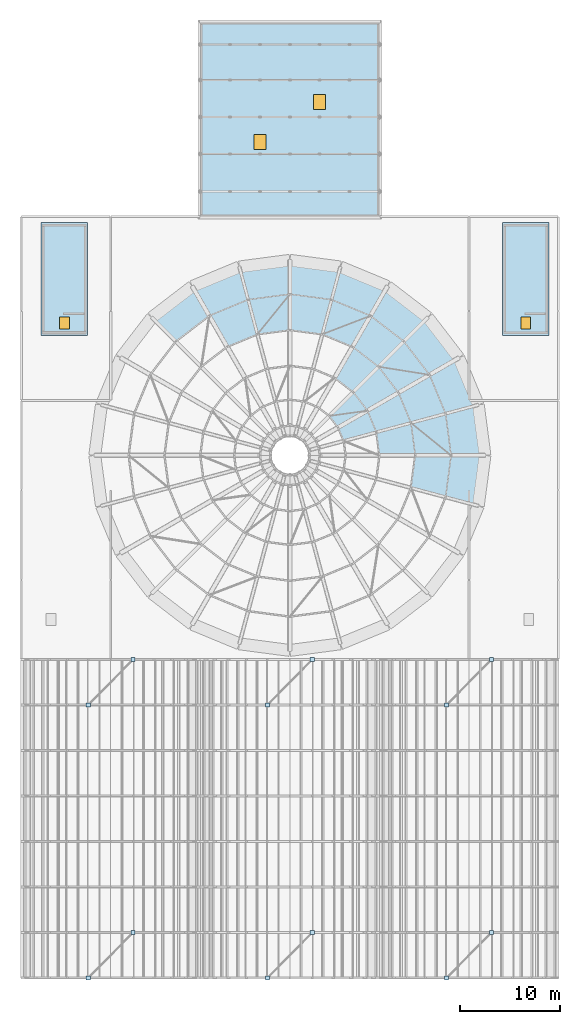
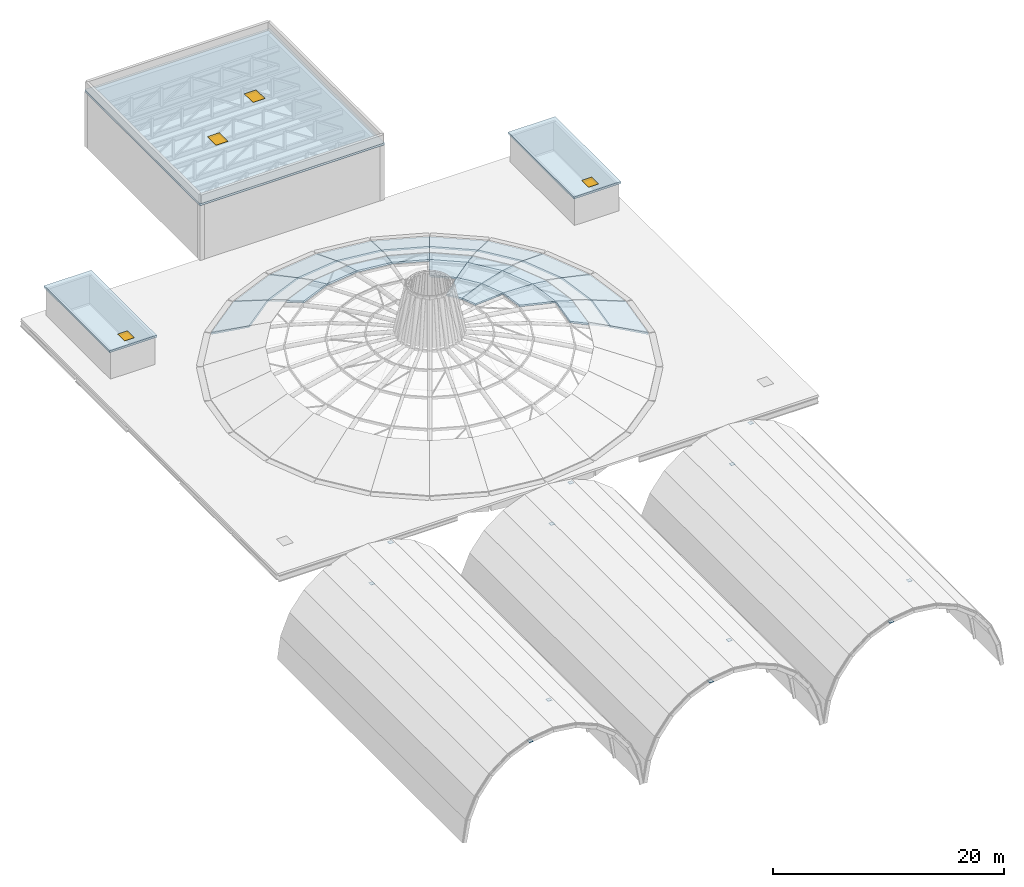
# One storey, part 20 of 25: 28 slabs, 12 plates, 4 doors, 4 openings.
"""IFC4 building model written with IfcOpenShell, lengths in metres."""

from ifc_helpers import new_model, si_unit, direction, frame, origin, origin_2d, place, context, subcontext, project, spatial, polyline, rectangle, outline, extrude, material, layer, layer_set, type_object, element, fill, save


model = new_model("IFC4")

# Units and contexts
model_context = context("Model", 3, precision=1e-05, world=origin(), true_north=direction((0.0, 1.0)))
body_context = subcontext(model_context, "Body", "Model", "MODEL_VIEW")
ifc_project = project(units=[si_unit("LENGTHUNIT", "METRE"), si_unit("AREAUNIT", "SQUARE_METRE"), si_unit("VOLUMEUNIT", "CUBIC_METRE"), si_unit("PLANEANGLEUNIT", "RADIAN"), si_unit("MASSUNIT", "GRAM", prefix="KILO")], contexts=[model_context])

# Site, building, storey
site_placement = place(None, origin())
site = spatial("IfcSite", under=ifc_project, at=site_placement, CompositionType="ELEMENT")
building_placement = place(site_placement, origin())
building = spatial("IfcBuilding", under=site, at=building_placement, Name="Marnock Terrace Opera House", CompositionType="ELEMENT")
storey_placement = place(building_placement, frame((0.0, 0.0, 28.199951171875)))
storey = spatial("IfcBuildingStorey", under=building, at=storey_placement, Name="RF", CompositionType="ELEMENT", Elevation=28.199951171875)

# Plates
ifc_material_1 = material(Name="Steel Grade 350 (AS/NZS 3679.1)", Category="steel")
ifc_layer_1 = layer(ifc_material_1, 0.02490234375)
ifc_layer_set_1 = layer_set([ifc_layer_1], Name="Steel Grade 350 (AS/NZS 3679.1)")
plate_type = type_object("IfcPlateType", Name="PLT-GUSSET-420x25", PredefinedType="SHEET", material=ifc_layer_set_1)
for number, where, z_axis, x_axis, name in (
    (1, (61.748291015625, 8.0, -0.60888671875), (0.0, 0.0, 1.0), (1.0, 0.0, 0.0), "Barrel vault 1 wind brace 1 south node & gable embed plate"),
    (2, (66.251708984375, 12.571533203125, -0.60888671875), (0.0, 0.0, 1.0), (1.0, 0.0, 0.0), "Barrel vault 1 wind brace 1 north node & gable embed plate"),
    (3, (61.748291015625, 35.428466796875, -0.60888671875), (0.0, 0.0, 1.0), (1.0, 0.0, 0.0), "Barrel vault 1 wind brace 7 south node & gable embed plate"),
    (4, (66.251708984375, 40.0, -0.60888671875), (0.0, 0.0, 1.0), (1.0, 0.0, 0.0), "Barrel vault 1 wind brace 7 north node & gable embed plate"),
    (5, (79.748291015625, 8.0, -0.60888671875), (0.0, 0.0, 1.0), (1.0, 0.0, 0.0), "Barrel vault 2 wind brace 1 south node & gable embed plate"),
    (6, (84.251708984375, 12.571533203125, -0.60888671875), (0.0, 0.0, 1.0), (1.0, 0.0, 0.0), "Barrel vault 2 wind brace 1 north node & gable embed plate"),
    (7, (79.748291015625, 35.428466796875, -0.60888671875), (0.0, 0.0, 1.0), (1.0, 0.0, 0.0), "Barrel vault 2 wind brace 7 south node & gable embed plate"),
    (8, (84.251708984375, 40.0, -0.60888671875), (0.0, 0.0, 1.0), (1.0, 0.0, 0.0), "Barrel vault 2 wind brace 7 north node & gable embed plate"),
    (9, (97.748291015625, 8.0, -0.60888671875), (0.0, 0.0, 1.0), (1.0, 0.0, 0.0), "Barrel vault 3 wind brace 1 south node & gable embed plate"),
    (10, (102.251708984375, 12.571533203125, -0.60888671875), (0.0, 0.0, 1.0), (1.0, 0.0, 0.0), "Barrel vault 3 wind brace 1 north node & gable embed plate"),
    (11, (97.748291015625, 35.428466796875, -0.60888671875), (0.0, 0.0, 1.0), (1.0, 0.0, 0.0), "Barrel vault 3 wind brace 7 south node & gable embed plate"),
    (12, (102.251708984375, 40.0, -0.60888671875), (0.0, 0.0, 1.0), (1.0, 0.0, 0.0), "Barrel vault 3 wind brace 7 north node & gable embed plate"),
):
    element("IfcPlate", number, at=place(storey_placement, frame(where, z_axis=z_axis, x_axis=x_axis)), inside=storey, type_object=plate_type, Name=name, PredefinedType="SHEET", context=body_context, shape_type="SweptSolid", body=[
        extrude(rectangle(XDim=0.419921875, YDim=0.419921875, at=origin_2d()), origin(), (0.0, 0.0, 1.0), 0.02490234375),
    ])

# Slabs
ifc_layer_2 = layer(ifc_material_1, 0.159912109375)
ifc_layer_set_2 = layer_set([ifc_layer_2], Name="Steel Grade 350 (AS/NZS 3679.1)")
slab_type_1 = type_object("IfcSlabType", Name="SL-CANOPY-160", PredefinedType="ROOF", material=ifc_layer_set_2)
slab_1_placement = place(storey_placement, frame((101.60009765625, 60.5, 0.0), z_axis=(0.372737502488, 0.049076973544, 0.926638119714), x_axis=(-0.130549215212, 0.99144183006, 3.910875e-06)))
element("IfcSlab", 13, at=slab_1_placement, inside=storey, type_object=slab_type_1, Name="Auditorium dome structural composite shell facet 1.1", PredefinedType="ROOF", context=body_context, shape_type="SweptSolid", body=[
    extrude(outline(polyline([(0.0, 0.0), (5.1165432123539105, -1.1102230246251565e-16), (4.6729430161178405, 3.6378270837920965), (0.4438918039497345, 3.637924301541389), (0.0, 0.0)])), origin(), (0.0, 0.0, -1.0), 0.159912109375),
])
slab_2_placement = place(storey_placement, frame((98.199951171875, 60.5, 1.36767578125), z_axis=(0.299991977865, 0.039498485229, 0.953123645117), x_axis=(-0.130527320416, 0.991444712837, -3.583301e-06)))
element("IfcSlab", 14, at=slab_2_placement, inside=storey, type_object=slab_type_1, Name="Auditorium dome structural composite shell facet 1.2", PredefinedType="ROOF", context=body_context, shape_type="SweptSolid", body=[
    extrude(outline(polyline([(0.0, 0.0), (4.229051213310776, 0.0), (3.7592589697567247, 3.7446824733688877), (0.46987517320237404, 3.744593436700083), (0.0, 0.0)])), origin(), (0.0, 0.0, -1.0), 0.159912109375),
])
slab_3_placement = place(storey_placement, frame((94.60009765625, 60.5, 2.500732421875), z_axis=(0.225082224299, 0.029635482172, 0.973888972368), x_axis=(-0.130553532437, 0.991441261576, 3.531859e-06)))
element("IfcSlab", 15, at=slab_3_placement, inside=storey, type_object=slab_type_1, Name="Auditorium dome structural composite shell facet 1.3", PredefinedType="ROOF", context=body_context, shape_type="SweptSolid", body=[
    extrude(outline(polyline([(0.0, 0.0), (3.289383797776162, 5.551115123125783e-17), (2.8194508640955966, 3.664891298357737), (0.4700084047598771, 3.6649790224264693), (0.0, 0.0)])), origin(), (0.0, 0.0, -1.0), 0.159912109375),
])
slab_4_placement = place(storey_placement, frame((100.93212890625, 65.57275390625, 0.0), z_axis=(0.347343037606, 0.143869374216, 0.926636076024), x_axis=(-0.382667294921, 0.923886216691, -2.278383e-06)))
element("IfcSlab", 16, at=slab_4_placement, inside=storey, type_object=slab_type_1, Name="Auditorium dome structural composite shell facet 2.1", PredefinedType="ROOF", context=body_context, shape_type="SweptSolid", body=[
    extrude(outline(polyline([(0.0, 0.0), (5.116748173599901, 0.0), (4.672978093943289, 3.63785527228763), (0.44383343819057464, 3.6377986344936635), (0.0, 0.0)])), origin(), (0.0, 0.0, -1.0), 0.159912109375),
])
slab_5_placement = place(storey_placement, frame((97.64794921875, 64.69287109375, 1.36767578125), z_axis=(0.279543308706, 0.115792692457, 0.953125170652), x_axis=(-0.382680659252, 0.923880681163, -2.952305e-06)))
element("IfcSlab", 17, at=slab_5_placement, inside=storey, type_object=slab_type_1, Name="Auditorium dome structural composite shell facet 2.2", PredefinedType="ROOF", context=body_context, shape_type="SweptSolid", body=[
    extrude(outline(polyline([(0.0, 0.0), (4.2291446561303925, 2.220446049250313e-16), (3.7591851968493732, 3.7447341051070744), (0.4699653927634346, 3.7446607467360202), (0.0, 0.0)])), origin(), (0.0, 0.0, -1.0), 0.159912109375),
])
slab_6_placement = place(storey_placement, frame((94.170654296875, 63.76123046875, 2.500732421875), z_axis=(0.209743362037, 0.086883568143, 0.973888580726), x_axis=(-0.382701458301, 0.923872065718, -2.16716e-07)))
element("IfcSlab", 18, at=slab_6_placement, inside=storey, type_object=slab_type_1, Name="Auditorium dome structural composite shell facet 2.3", PredefinedType="ROOF", context=body_context, shape_type="SweptSolid", body=[
    extrude(outline(polyline([(0.0, 0.0), (3.289219804929987, 2.220446049250313e-16), (2.8193438633762957, 3.6649107303114556), (0.46982335380054696, 3.6649053476592353), (0.0, 0.0)])), origin(), (0.0, 0.0, -1.0), 0.159912109375),
])
slab_7_placement = place(storey_placement, frame((90.693359375, 62.829345703125, 3.332763671875), z_axis=(0.141765848874, 0.058719349731, 0.988157114056), x_axis=(-0.382702850106, 0.923871489167, 5.121992e-06)))
element("IfcSlab", 19, at=slab_7_placement, inside=storey, type_object=slab_type_1, Name="Auditorium dome structural composite shell facet 2.4", PredefinedType="ROOF", context=body_context, shape_type="SweptSolid", body=[
    extrude(outline(polyline([(0.0, 0.0), (2.3495205095504654, 2.220446049250313e-16), (1.9057925248717162, 3.411164081583303), (0.443968963430975, 3.411291303786364), (0.0, 0.0)])), origin(), (0.0, 0.0, -1.0), 0.159912109375),
])
slab_8_placement = place(storey_placement, frame((98.97412109375, 70.300048828125, 0.0), z_axis=(0.29826193601, 0.228864891661, 0.926639454638), x_axis=(-0.608752619373, 0.79336010007, -4.897854e-06)))
element("IfcSlab", 20, at=slab_8_placement, inside=storey, type_object=slab_type_1, Name="Auditorium dome structural composite shell facet 3.1", PredefinedType="ROOF", context=body_context, shape_type="SweptSolid", body=[
    extrude(outline(polyline([(0.0, 0.0), (5.116617261186224, -4.440892098500626e-16), (4.6727593735698125, 3.6379684088453295), (0.4438407050040428, 3.6378466561576954), (0.0, 0.0)])), origin(), (0.0, 0.0, -1.0), 0.159912109375),
])
slab_9_placement = place(storey_placement, frame((96.029541015625, 68.60009765625, 1.36767578125), z_axis=(0.240038476037, 0.184199808034, 0.953127463009), x_axis=(-0.608776634926, 0.79334167214, -3.743486e-06)))
element("IfcSlab", 21, at=slab_9_placement, inside=storey, type_object=slab_type_1, Name="Auditorium dome structural composite shell facet 3.2", PredefinedType="ROOF", context=body_context, shape_type="SweptSolid", body=[
    extrude(outline(polyline([(0.0, 0.0), (4.228918670372289, 4.440892098500626e-16), (3.7590756487542865, 3.744833305238259), (0.4699101820801662, 3.7447402889910673), (0.0, 0.0)])), origin(), (0.0, 0.0, -1.0), 0.159912109375),
])
slab_10_placement = place(storey_placement, frame((92.911865234375, 66.800048828125, 2.500732421875), z_axis=(0.180116902874, 0.138211191094, 0.973886835292), x_axis=(-0.608797658031, 0.793325539424, 8.502952e-06)))
element("IfcSlab", 22, at=slab_10_placement, inside=storey, type_object=slab_type_1, Name="Auditorium dome structural composite shell facet 3.3", PredefinedType="ROOF", context=body_context, shape_type="SweptSolid", body=[
    extrude(outline(polyline([(0.0, 0.0), (3.2891654679059217, 0.0), (2.81947339921853, 3.664681580689559), (0.4700160812854151, 3.664892760247147), (0.0, 0.0)])), origin(), (0.0, 0.0, -1.0), 0.159912109375),
])
slab_11_placement = place(storey_placement, frame((89.794189453125, 65.0, 3.332763671875), z_axis=(0.121729752011, 0.093412964321, 0.988157824222), x_axis=(-0.608727464462, 0.793379400962, -1.1818339e-05)))
element("IfcSlab", 23, at=slab_11_placement, inside=storey, type_object=slab_type_1, Name="Auditorium dome structural composite shell facet 3.4", PredefinedType="ROOF", context=body_context, shape_type="SweptSolid", body=[
    extrude(outline(polyline([(0.0, 0.0), (2.349457327431462, 0.0), (1.9054930673795294, 3.4114761435019214), (0.44358572118923034, 3.4111825842641275), (0.0, 0.0)])), origin(), (0.0, 0.0, -1.0), 0.159912109375),
])
slab_12_placement = place(storey_placement, frame((95.859375, 74.359375, 0.0), z_axis=(0.228864891661, 0.29826193601, 0.926639454638), x_axis=(-0.79336010007, 0.608752619373, 4.897854e-06)))
element("IfcSlab", 24, at=slab_12_placement, inside=storey, type_object=slab_type_1, Name="Auditorium dome structural composite shell facet 4.1", PredefinedType="ROOF", context=body_context, shape_type="SweptSolid", body=[
    extrude(outline(polyline([(0.0, 0.0), (5.116617261186224, 4.440892098500626e-16), (4.672776556182183, 3.637846656157696), (0.4438578876164122, 3.6379684088453303), (0.0, 0.0)])), origin(), (0.0, 0.0, -1.0), 0.159912109375),
])
slab_13_placement = place(storey_placement, frame((93.455078125, 71.955078125, 1.36767578125), z_axis=(0.184199808034, 0.240038476037, 0.953127463009), x_axis=(-0.79334167214, 0.608776634926, 3.743486e-06)))
element("IfcSlab", 25, at=slab_13_placement, inside=storey, type_object=slab_type_1, Name="Auditorium dome structural composite shell facet 4.2", PredefinedType="ROOF", context=body_context, shape_type="SweptSolid", body=[
    extrude(outline(polyline([(0.0, 0.0), (4.228918670372289, -4.440892098500626e-16), (3.7590084882921224, 3.744740288991067), (0.4698430216180026, 3.7448333052382585), (0.0, 0.0)])), origin(), (0.0, 0.0, -1.0), 0.159912109375),
])
slab_14_placement = place(storey_placement, frame((90.909423828125, 69.409423828125, 2.500732421875), z_axis=(0.138211191094, 0.180116902874, 0.973886835292), x_axis=(-0.793325539424, 0.608797658031, -8.502952e-06)))
element("IfcSlab", 26, at=slab_14_placement, inside=storey, type_object=slab_type_1, Name="Auditorium dome structural composite shell facet 4.3", PredefinedType="ROOF", context=body_context, shape_type="SweptSolid", body=[
    extrude(outline(polyline([(0.0, 0.0), (3.2891654679059217, 0.0), (2.8191493866205066, 3.664892760247147), (0.4696920686873917, 3.6646815806895594), (0.0, 0.0)])), origin(), (0.0, 0.0, -1.0), 0.159912109375),
])
slab_15_placement = place(storey_placement, frame((91.800048828125, 77.47412109375, 0.0), z_axis=(0.143869374216, 0.347343037606, 0.926636076024), x_axis=(-0.923886216691, 0.382667294921, 2.278383e-06)))
element("IfcSlab", 27, at=slab_15_placement, inside=storey, type_object=slab_type_1, Name="Auditorium dome structural composite shell facet 5.1", PredefinedType="ROOF", context=body_context, shape_type="SweptSolid", body=[
    extrude(outline(polyline([(0.0, 0.0), (5.116748173599901, 0.0), (4.672914735409326, 3.6377986344936635), (0.4437700796566124, 3.6378552722876294), (0.0, 0.0)])), origin(), (0.0, 0.0, -1.0), 0.159912109375),
])
slab_16_placement = place(storey_placement, frame((90.10009765625, 74.529541015625, 1.36767578125), z_axis=(0.115792692457, 0.279543308706, 0.953125170652), x_axis=(-0.923880681163, 0.382680659252, 2.952305e-06)))
element("IfcSlab", 28, at=slab_16_placement, inside=storey, type_object=slab_type_1, Name="Auditorium dome structural composite shell facet 5.2", PredefinedType="ROOF", context=body_context, shape_type="SweptSolid", body=[
    extrude(outline(polyline([(0.0, 0.0), (4.2291446561303925, -2.220446049250313e-16), (3.7591792633669576, 3.74466074673602), (0.46995945928101884, 3.7447341051070744), (0.0, 0.0)])), origin(), (0.0, 0.0, -1.0), 0.159912109375),
])
slab_17_placement = place(storey_placement, frame((87.07275390625, 79.43212890625, 0.0), z_axis=(0.049076973544, 0.372737502488, 0.926638119714), x_axis=(-0.99144183006, 0.130549215212, -3.910875e-06)))
element("IfcSlab", 29, at=slab_17_placement, inside=storey, type_object=slab_type_1, Name="Auditorium dome structural composite shell facet 6.1", PredefinedType="ROOF", context=body_context, shape_type="SweptSolid", body=[
    extrude(outline(polyline([(0.0, 0.0), (5.1165432123539105, 1.1102230246251565e-16), (4.672651408404176, 3.63792430154139), (0.44360019623607033, 3.6378270837920965), (0.0, 0.0)])), origin(), (0.0, 0.0, -1.0), 0.159912109375),
])
slab_18_placement = place(storey_placement, frame((86.19287109375, 76.14794921875, 1.36767578125), z_axis=(0.039498485229, 0.299991977865, 0.953123645117), x_axis=(-0.991444712837, 0.130527320416, 3.583301e-06)))
element("IfcSlab", 30, at=slab_18_placement, inside=storey, type_object=slab_type_1, Name="Auditorium dome structural composite shell facet 6.2", PredefinedType="ROOF", context=body_context, shape_type="SweptSolid", body=[
    extrude(outline(polyline([(0.0, 0.0), (4.229051213310776, 0.0), (3.7591760401084025, 3.744593436700083), (0.46979224355405136, 3.7446824733688873), (0.0, 0.0)])), origin(), (0.0, 0.0, -1.0), 0.159912109375),
])
slab_19_placement = place(storey_placement, frame((82.0, 80.10009765625, 0.0), z_axis=(-0.049076973544, 0.372737502488, 0.926638119714), x_axis=(-0.99144183006, -0.130549215212, 3.910875e-06)))
element("IfcSlab", 31, at=slab_19_placement, inside=storey, type_object=slab_type_1, Name="Auditorium dome structural composite shell facet 7.1", PredefinedType="ROOF", context=body_context, shape_type="SweptSolid", body=[
    extrude(outline(polyline([(0.0, 0.0), (5.1165432123539105, -1.1102230246251565e-16), (4.6729430161178405, 3.6378270837920965), (0.4438918039497345, 3.637924301541389), (0.0, 0.0)])), origin(), (0.0, 0.0, -1.0), 0.159912109375),
])
slab_20_placement = place(storey_placement, frame((82.0, 76.699951171875, 1.36767578125), z_axis=(-0.039498485229, 0.299991977865, 0.953123645117), x_axis=(-0.991444712837, -0.130527320416, -3.583301e-06)))
element("IfcSlab", 32, at=slab_20_placement, inside=storey, type_object=slab_type_1, Name="Auditorium dome structural composite shell facet 7.2", PredefinedType="ROOF", context=body_context, shape_type="SweptSolid", body=[
    extrude(outline(polyline([(0.0, 0.0), (4.229051213310776, 0.0), (3.7592589697567247, 3.7446824733688877), (0.46987517320237404, 3.744593436700083), (0.0, 0.0)])), origin(), (0.0, 0.0, -1.0), 0.159912109375),
])
slab_21_placement = place(storey_placement, frame((76.92724609375, 79.43212890625, 0.0), z_axis=(-0.143869374216, 0.347343037606, 0.926636076024), x_axis=(-0.923886216691, -0.382667294921, -2.278383e-06)))
element("IfcSlab", 33, at=slab_21_placement, inside=storey, type_object=slab_type_1, Name="Auditorium dome structural composite shell facet 8.1", PredefinedType="ROOF", context=body_context, shape_type="SweptSolid", body=[
    extrude(outline(polyline([(0.0, 0.0), (5.116748173599901, 0.0), (4.672978093943289, 3.63785527228763), (0.44383343819057464, 3.6377986344936635), (0.0, 0.0)])), origin(), (0.0, 0.0, -1.0), 0.159912109375),
])
slab_22_placement = place(storey_placement, frame((77.80712890625, 76.14794921875, 1.36767578125), z_axis=(-0.115792692457, 0.279543308706, 0.953125170652), x_axis=(-0.923880681163, -0.382680659252, -2.952305e-06)))
element("IfcSlab", 34, at=slab_22_placement, inside=storey, type_object=slab_type_1, Name="Auditorium dome structural composite shell facet 8.2", PredefinedType="ROOF", context=body_context, shape_type="SweptSolid", body=[
    extrude(outline(polyline([(0.0, 0.0), (4.2291446561303925, 2.220446049250313e-16), (3.7591851968493732, 3.7447341051070744), (0.4699653927634346, 3.7446607467360202), (0.0, 0.0)])), origin(), (0.0, 0.0, -1.0), 0.159912109375),
])
slab_23_placement = place(storey_placement, frame((72.199951171875, 77.47412109375, 0.0), z_axis=(-0.228864891661, 0.29826193601, 0.926639454638), x_axis=(-0.79336010007, -0.608752619373, -4.897854e-06)))
element("IfcSlab", 35, at=slab_23_placement, inside=storey, type_object=slab_type_1, Name="Auditorium dome structural composite shell facet 9.1", PredefinedType="ROOF", context=body_context, shape_type="SweptSolid", body=[
    extrude(outline(polyline([(0.0, 0.0), (5.116617261186224, -4.440892098500626e-16), (4.6727593735698125, 3.6379684088453295), (0.4438407050040428, 3.6378466561576954), (0.0, 0.0)])), origin(), (0.0, 0.0, -1.0), 0.159912109375),
])
slab_24_placement = place(storey_placement, frame((100.93212890625, 55.42724609375, 0.0), z_axis=(0.372737502488, -0.049076973544, 0.926638119714), x_axis=(0.130549215212, 0.99144183006, -3.910875e-06)))
element("IfcSlab", 36, at=slab_24_placement, inside=storey, type_object=slab_type_1, Name="Auditorium dome structural composite shell facet 24.1", PredefinedType="ROOF", context=body_context, shape_type="SweptSolid", body=[
    extrude(outline(polyline([(0.0, 0.0), (5.1165432123539105, 1.1102230246251565e-16), (4.672651408404176, 3.63792430154139), (0.44360019623607033, 3.6378270837920965), (0.0, 0.0)])), origin(), (0.0, 0.0, -1.0), 0.159912109375),
])
slab_25_placement = place(storey_placement, frame((97.64794921875, 56.30712890625, 1.36767578125), z_axis=(0.299991977865, -0.039498485229, 0.953123645117), x_axis=(0.130527320416, 0.991444712837, 3.583301e-06)))
element("IfcSlab", 37, at=slab_25_placement, inside=storey, type_object=slab_type_1, Name="Auditorium dome structural composite shell facet 24.2", PredefinedType="ROOF", context=body_context, shape_type="SweptSolid", body=[
    extrude(outline(polyline([(0.0, 0.0), (4.229051213310776, 0.0), (3.7591760401084025, 3.744593436700083), (0.46979224355405136, 3.7446824733688873), (0.0, 0.0)])), origin(), (0.0, 0.0, -1.0), 0.159912109375),
])

# Slab, openings, doors
ifc_material_2 = material(Name="Concrete N40 (f'c = 40 MPa)", Category="concrete")
ifc_layer_3 = layer(ifc_material_2, 0.219970703125)
ifc_layer_set_3 = layer_set([ifc_layer_3], Name="Concrete N40 (f'c = 40 MPa)")
slab_type_2 = type_object("IfcSlabType", Name="SL-ROOF-220", PredefinedType="ROOF", material=ifc_layer_set_3)
slab_26_placement = place(storey_placement, frame((0.0, 0.0, 5.780029296875)))
slab_26 = element("IfcSlab", 38, at=slab_26_placement, inside=storey, type_object=slab_type_2, Name="Stage Fly Tower structural roof slab", PredefinedType="ROOF", context=body_context, shape_type="SweptSolid", body=[
    extrude(outline(polyline([(72.780029296875, 84.280029296875), (91.219970703125, 84.280029296875), (91.219970703125, 104.219970703125), (72.780029296875, 104.219970703125), (72.780029296875, 84.280029296875)])), origin(), (0.0, 0.0, 1.0), 0.219970703125),
])
opening_1_placement = place(slab_26_placement, frame((79.0, 92.0, 0.0)))
opening_1 = element("IfcOpeningElement", 39, at=opening_1_placement, cuts=slab_26, Name="Opening DT-61", PredefinedType="OPENING", context=body_context, shape_type="SweptSolid", body=[
    extrude(rectangle(XDim=1.199951171875, YDim=1.5, at=origin_2d()), frame((0.0, 0.0, -0.010009765625)), (0.0, 0.0, 1.0), 0.239990234375),
])
opening_2_placement = place(slab_26_placement, frame((85.0, 96.0, 0.0)))
opening_2 = element("IfcOpeningElement", 40, at=opening_2_placement, cuts=slab_26, Name="Opening DT-61", PredefinedType="OPENING", context=body_context, shape_type="SweptSolid", body=[
    extrude(rectangle(XDim=1.199951171875, YDim=1.5, at=origin_2d()), frame((0.0, 0.0, -0.010009765625)), (0.0, 0.0, 1.0), 0.239990234375),
])
ifc_material_3 = material(Name="Galvanised architectural steel framing", Category="steel")
door_type_1 = type_object("IfcDoorType", Name="DT-HATCH-1200x1500", OperationType="NOTDEFINED", PredefinedType="TRAPDOOR", material=ifc_material_3)
door_1_placement = place(opening_1_placement, frame((0.0, 0.0, 0.169921875)))
door_1 = element("IfcDoor", 41, at=door_1_placement, inside=storey, type_object=door_type_1, Name="Roof maintenance access hatch RH-FLY-01", OperationType="SINGLE_SWING_LEFT", OverallHeight=1.5, OverallWidth=1.199951171875, PredefinedType="TRAPDOOR", context=body_context, shape_type="SweptSolid", body=[
    extrude(rectangle(XDim=1.199951171875, YDim=1.5, at=origin_2d()), origin(), (0.0, 0.0, 1.0), 0.050048828125),
])
fill(opening_1, door_1)
door_2_placement = place(opening_2_placement, frame((0.0, 0.0, 0.169921875)))
door_2 = element("IfcDoor", 42, at=door_2_placement, inside=storey, type_object=door_type_1, Name="Roof maintenance access hatch RH-FLY-02", OperationType="SINGLE_SWING_LEFT", OverallHeight=1.5, OverallWidth=1.199951171875, PredefinedType="TRAPDOOR", context=body_context, shape_type="SweptSolid", body=[
    extrude(rectangle(XDim=1.199951171875, YDim=1.5, at=origin_2d()), origin(), (0.0, 0.0, 1.0), 0.050048828125),
])
fill(opening_2, door_2)

# Slab, opening, door
slab_27_placement = place(storey_placement, frame((0.0, 0.0, 2.900146484375)))
slab_27 = element("IfcSlab", 43, at=slab_27_placement, inside=storey, type_object=slab_type_2, Name="RF Core C3 stair head-house roof slab", PredefinedType="ROOF", context=body_context, shape_type="SweptSolid", body=[
    extrude(outline(polyline([(56.989990234375, 72.550048828125), (61.68994140625, 72.550048828125), (61.68994140625, 83.889892578125), (56.989990234375, 83.889892578125), (56.989990234375, 72.550048828125)])), origin(), (0.0, 0.0, 1.0), 0.219970703125),
])
opening_3_placement = place(slab_27_placement, frame((59.340087890625, 73.800048828125, 0.0)))
opening_3 = element("IfcOpeningElement", 44, at=opening_3_placement, cuts=slab_27, Name="Opening DT-107", PredefinedType="OPENING", context=body_context, shape_type="SweptSolid", body=[
    extrude(rectangle(XDim=1.0, YDim=1.199951171875, at=origin_2d()), frame((0.0, 0.0, -0.010009765625)), (0.0, 0.0, 1.0), 0.239990234375),
])
door_type_2 = type_object("IfcDoorType", Name="DT-HATCH-1000x1200", OperationType="NOTDEFINED", PredefinedType="TRAPDOOR", material=ifc_material_3)
door_3_placement = place(opening_3_placement, frame((0.0, 0.0, 0.169921875)))
door_3 = element("IfcDoor", 45, at=door_3_placement, inside=storey, type_object=door_type_2, Name="Roof maintenance access hatch RH-C3-RF", OperationType="SINGLE_SWING_LEFT", OverallHeight=1.199951171875, OverallWidth=1.0, PredefinedType="TRAPDOOR", context=body_context, shape_type="SweptSolid", body=[
    extrude(rectangle(XDim=1.0, YDim=1.199951171875, at=origin_2d()), origin(), (0.0, 0.0, 1.0), 0.050048828125),
])
fill(opening_3, door_3)

slab_28_placement = place(storey_placement, frame((0.0, 0.0, 2.900146484375)))
slab_28 = element("IfcSlab", 46, at=slab_28_placement, inside=storey, type_object=slab_type_2, Name="RF Core C4 stair head-house roof slab", PredefinedType="ROOF", context=body_context, shape_type="SweptSolid", body=[
    extrude(outline(polyline([(103.35009765625, 72.550048828125), (108.050048828125, 72.550048828125), (108.050048828125, 83.889892578125), (103.35009765625, 83.889892578125), (103.35009765625, 72.550048828125)])), origin(), (0.0, 0.0, 1.0), 0.219970703125),
])
opening_4_placement = place(slab_28_placement, frame((105.699951171875, 73.800048828125, 0.0)))
opening_4 = element("IfcOpeningElement", 47, at=opening_4_placement, cuts=slab_28, Name="Opening DT-107", PredefinedType="OPENING", context=body_context, shape_type="SweptSolid", body=[
    extrude(rectangle(XDim=1.0, YDim=1.199951171875, at=origin_2d()), frame((0.0, 0.0, -0.010009765625)), (0.0, 0.0, 1.0), 0.239990234375),
])
door_4_placement = place(opening_4_placement, frame((0.0, 0.0, 0.169921875)))
door_4 = element("IfcDoor", 48, at=door_4_placement, inside=storey, type_object=door_type_2, Name="Roof maintenance access hatch RH-C4-RF", OperationType="SINGLE_SWING_LEFT", OverallHeight=1.199951171875, OverallWidth=1.0, PredefinedType="TRAPDOOR", context=body_context, shape_type="SweptSolid", body=[
    extrude(rectangle(XDim=1.0, YDim=1.199951171875, at=origin_2d()), origin(), (0.0, 0.0, 1.0), 0.050048828125),
])
fill(opening_4, door_4)

save(model, "model.ifc")
